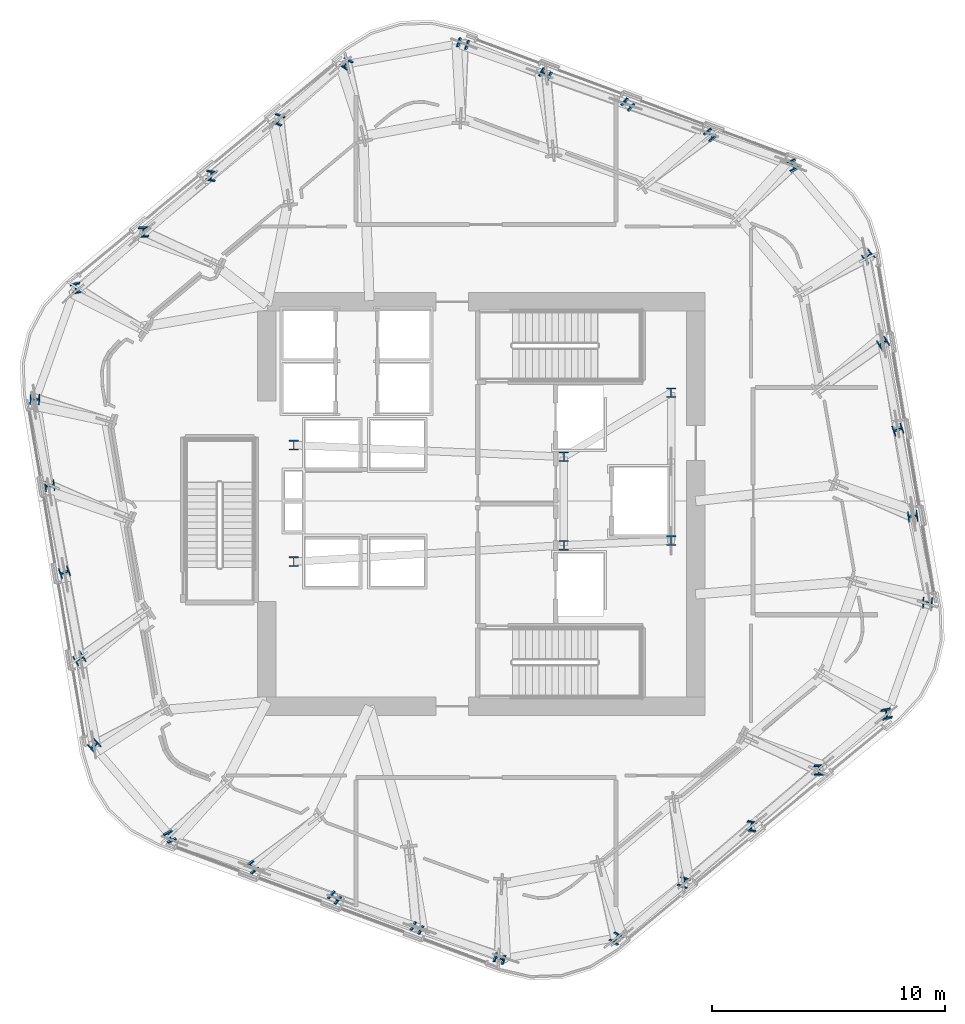
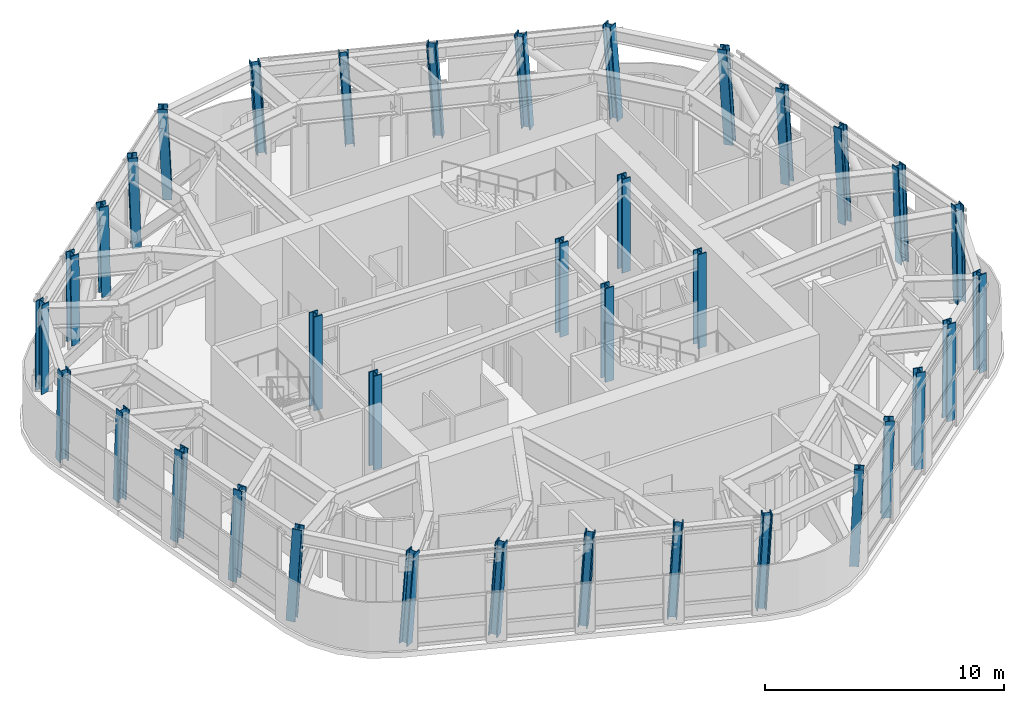
# One storey, part 1 of 16: 36 columns.
"""IFC4 building model written with IfcOpenShell, lengths in metres."""

from ifc_helpers import new_model, si_unit, direction, frame, origin, origin_2d, place, context, subcontext, project, spatial, i_section, extrude, material, material_profile, profile_set, type_object, element, save


model = new_model("IFC4")

# Units and contexts
model_context = context("Model", 3, precision=1e-05, world=origin(), true_north=direction((0.0, 1.0)))
body_context = subcontext(model_context, "Body", "Model", "MODEL_VIEW")
ifc_project = project(units=[si_unit("LENGTHUNIT", "METRE"), si_unit("AREAUNIT", "SQUARE_METRE"), si_unit("VOLUMEUNIT", "CUBIC_METRE"), si_unit("PLANEANGLEUNIT", "RADIAN"), si_unit("MASSUNIT", "GRAM", prefix="KILO")], contexts=[model_context])

# Site, building, storey
site_placement = place(None, origin())
site = spatial("IfcSite", under=ifc_project, at=site_placement, CompositionType="ELEMENT")
building_placement = place(site_placement, origin())
building = spatial("IfcBuilding", under=site, at=building_placement, Name="Valkerne Bourse Tower", CompositionType="ELEMENT")
storey_placement = place(building_placement, frame((0.0, 0.0, 193.199951171875)))
storey = spatial("IfcBuildingStorey", under=building, at=storey_placement, Name="L49", CompositionType="ELEMENT", Elevation=193.199951171875)

# Columns
ifc_material = material(Name="Steel ASTM A913 Grade 65", Category="steel")
ifc_material_profile_1 = material_profile(ifc_material, i_section(OverallWidth=0.406494140625, OverallDepth=0.41650390625, WebThickness=0.02978515625, FlangeThickness=0.048095703125, FilletRadius=0.025390625, at=origin_2d()), Name="W14X257")
ifc_profile_set_1 = profile_set([ifc_material_profile_1], Name="Steel ASTM A913 Grade 65")
column_type_1 = type_object("IfcColumnType", Name="COL-W14X257", PredefinedType="COLUMN", material=ifc_profile_set_1)
column_1_placement = place(storey_placement, frame((60.193115234375, 41.37646484375, 0.010009765625), z_axis=(-0.047442610701, 0.043518785756, 0.997925505224), x_axis=(0.889917920058, 0.455568332922, 0.022440802086)))
element("IfcColumn", 1, at=column_1_placement, inside=storey, type_object=column_type_1, Name="L49 Helical Perimeter Tube Column F1-C1", PredefinedType="COLUMN", context=body_context, shape_type="SweptSolid", body=[
    extrude(i_section(OverallWidth=0.406494140625, OverallDepth=0.41650390625, WebThickness=0.02978515625, FlangeThickness=0.048095703125, FilletRadius=0.025390625, at=origin_2d()), origin(), (0.0, 0.0, 1.0), 4.791015625),
])
column_2_placement = place(storey_placement, frame((56.65869140625, 42.69091796875, 0.010009765625), z_axis=(-0.051734834711, 0.031907395595, 0.998151003097), x_axis=(0.788151102008, 0.615117013588, 0.021187260278)))
element("IfcColumn", 2, at=column_2_placement, inside=storey, type_object=column_type_1, Name="L49 Helical Perimeter Tube Column F1-C2", PredefinedType="COLUMN", context=body_context, shape_type="SweptSolid", body=[
    extrude(i_section(OverallWidth=0.406494140625, OverallDepth=0.41650390625, WebThickness=0.02978515625, FlangeThickness=0.048095703125, FilletRadius=0.025390625, at=origin_2d()), origin(), (0.0, 0.0, 1.0), 4.789794921875),
])
column_3_placement = place(storey_placement, frame((53.124267578125, 44.00537109375, 0.010009765625), z_axis=(-0.055969591725, 0.020287702647, 0.998226334016), x_axis=(0.646533634797, 0.762603194136, 0.020751563077)))
element("IfcColumn", 3, at=column_3_placement, inside=storey, type_object=column_type_1, Name="L49 Helical Perimeter Tube Column F1-C3", PredefinedType="COLUMN", context=body_context, shape_type="SweptSolid", body=[
    extrude(i_section(OverallWidth=0.406494140625, OverallDepth=0.41650390625, WebThickness=0.02978515625, FlangeThickness=0.048095703125, FilletRadius=0.025390625, at=origin_2d()), origin(), (0.0, 0.0, 1.0), 4.78955078125),
])
column_4_placement = place(storey_placement, frame((49.589599609375, 45.31982421875, 0.010009765625), z_axis=(-0.060144993574, 0.008664956701, 0.998152041662), x_axis=(0.478024701145, 0.878090961693, 0.021181314603)))
element("IfcColumn", 4, at=column_4_placement, inside=storey, type_object=column_type_1, Name="L49 Helical Perimeter Tube Column F1-C4", PredefinedType="COLUMN", context=body_context, shape_type="SweptSolid", body=[
    extrude(i_section(OverallWidth=0.406494140625, OverallDepth=0.41650390625, WebThickness=0.02978515625, FlangeThickness=0.048095703125, FilletRadius=0.025390625, at=origin_2d()), origin(), (0.0, 0.0, 1.0), 4.789794921875),
])
for number, where, z_axis, x_axis, name in (
    (5, (46.05517578125, 46.63427734375, 0.010009765625), (-0.064360715617, -0.002955598975, 0.997922322989), (0.304484692387, 0.952252440695, 0.022457989483), "L49 Helical Perimeter Tube Column F1-C5"),
    (6, (41.04638671875, 45.787109375, 0.010009765625), (-0.061456051068, -0.01936426153, 0.997921930395), (-0.838253908115, 0.543731056621, -0.041072175441), "L49 Helical Perimeter Tube Column F2-C1"),
):
    element("IfcColumn", number, at=place(storey_placement, frame(where, z_axis=z_axis, x_axis=x_axis)), inside=storey, type_object=column_type_1, Name=name, PredefinedType="COLUMN", context=body_context, shape_type="SweptSolid", body=[
        extrude(i_section(OverallWidth=0.406494140625, OverallDepth=0.41650390625, WebThickness=0.02978515625, FlangeThickness=0.048095703125, FilletRadius=0.025390625, at=origin_2d()), origin(), (0.0, 0.0, 1.0), 4.791015625),
    ])
column_5_placement = place(storey_placement, frame((38.140625, 43.38330078125, 0.010009765625), z_axis=(-0.053467996147, -0.028798301071, 0.998154212155), x_axis=(-0.92554050387, 0.376664623069, -0.038710947073)))
element("IfcColumn", 7, at=column_5_placement, inside=storey, type_object=column_type_1, Name="L49 Helical Perimeter Tube Column F2-C2", PredefinedType="COLUMN", context=body_context, shape_type="SweptSolid", body=[
    extrude(i_section(OverallWidth=0.406494140625, OverallDepth=0.41650390625, WebThickness=0.02978515625, FlangeThickness=0.048095703125, FilletRadius=0.025390625, at=origin_2d()), origin(), (0.0, 0.0, 1.0), 4.789794921875),
])
column_6_placement = place(storey_placement, frame((35.235107421875, 40.9794921875, 0.010009765625), z_axis=(-0.045570915412, -0.038281607913, 0.99822733391), x_axis=(-0.982806210175, 0.180700659706, -0.037937116706)))
element("IfcColumn", 8, at=column_6_placement, inside=storey, type_object=column_type_1, Name="L49 Helical Perimeter Tube Column F2-C3", PredefinedType="COLUMN", context=body_context, shape_type="SweptSolid", body=[
    extrude(i_section(OverallWidth=0.406494140625, OverallDepth=0.41650390625, WebThickness=0.02978515625, FlangeThickness=0.048095703125, FilletRadius=0.025390625, at=origin_2d()), origin(), (0.0, 0.0, 1.0), 4.78955078125),
])
column_7_placement = place(storey_placement, frame((32.32958984375, 38.575927734375, 0.010009765625), z_axis=(-0.037616041994, -0.047759121068, 0.998150339247), x_axis=(-0.998982406492, -0.023075370304, -0.038751500688)))
element("IfcColumn", 9, at=column_7_placement, inside=storey, type_object=column_type_1, Name="L49 Helical Perimeter Tube Column F2-C4", PredefinedType="COLUMN", context=body_context, shape_type="SweptSolid", body=[
    extrude(i_section(OverallWidth=0.406494140625, OverallDepth=0.41650390625, WebThickness=0.02978515625, FlangeThickness=0.048095703125, FilletRadius=0.025390625, at=origin_2d()), origin(), (0.0, 0.0, 1.0), 4.789794921875),
])
for number, where, z_axis, x_axis, name in (
    (10, (29.423828125, 36.172119140625, 0.010009765625), (-0.029607028622, -0.057175707597, 0.997925028405), (-0.976720076369, -0.21055517352, -0.041041580404), "L49 Helical Perimeter Tube Column F2-C5"),
    (11, (27.653076171875, 31.41064453125, 0.010009765625), (-0.013962669937, -0.062882973364, 0.99792323127), (-0.050479825307, -0.996703546803, -0.063512416325), "L49 Helical Perimeter Tube Column F3-C1"),
):
    element("IfcColumn", number, at=place(storey_placement, frame(where, z_axis=z_axis, x_axis=x_axis)), inside=storey, type_object=column_type_1, Name=name, PredefinedType="COLUMN", context=body_context, shape_type="SweptSolid", body=[
        extrude(i_section(OverallWidth=0.406494140625, OverallDepth=0.41650390625, WebThickness=0.02978515625, FlangeThickness=0.048095703125, FilletRadius=0.025390625, at=origin_2d()), origin(), (0.0, 0.0, 1.0), 4.791015625),
    ])
column_8_placement = place(storey_placement, frame((28.281982421875, 27.6923828125, 0.010009765625), z_axis=(-0.001783965368, -0.06070579294, 0.998154108428), x_axis=(0.137787214486, -0.988650033187, -0.059881511363)))
element("IfcColumn", 12, at=column_8_placement, inside=storey, type_object=column_type_1, Name="L49 Helical Perimeter Tube Column F3-C2", PredefinedType="COLUMN", context=body_context, shape_type="SweptSolid", body=[
    extrude(i_section(OverallWidth=0.406494140625, OverallDepth=0.41650390625, WebThickness=0.02978515625, FlangeThickness=0.048095703125, FilletRadius=0.025390625, at=origin_2d()), origin(), (0.0, 0.0, 1.0), 4.789794921875),
])
column_9_placement = place(storey_placement, frame((28.910888671875, 23.974365234375, 0.010009765625), z_axis=(0.010398720501, -0.058620238117, 0.998226193954), x_axis=(0.336118151792, -0.939988670333, -0.0587016838)))
element("IfcColumn", 13, at=column_9_placement, inside=storey, type_object=column_type_1, Name="L49 Helical Perimeter Tube Column F3-C3", PredefinedType="COLUMN", context=body_context, shape_type="SweptSolid", body=[
    extrude(i_section(OverallWidth=0.406494140625, OverallDepth=0.41650390625, WebThickness=0.02978515625, FlangeThickness=0.048095703125, FilletRadius=0.025390625, at=origin_2d()), origin(), (0.0, 0.0, 1.0), 4.78955078125),
])
column_10_placement = place(storey_placement, frame((29.539794921875, 20.256103515625, 0.010009765625), z_axis=(0.022528901675, -0.05642419492, 0.9981526731), x_axis=(0.519823227755, -0.852170892967, -0.059904766644)))
element("IfcColumn", 14, at=column_10_placement, inside=storey, type_object=column_type_1, Name="L49 Helical Perimeter Tube Column F3-C4", PredefinedType="COLUMN", context=body_context, shape_type="SweptSolid", body=[
    extrude(i_section(OverallWidth=0.406494140625, OverallDepth=0.41650390625, WebThickness=0.02978515625, FlangeThickness=0.048095703125, FilletRadius=0.025390625, at=origin_2d()), origin(), (0.0, 0.0, 1.0), 4.789794921875),
])
for number, where, z_axis, x_axis, name in (
    (15, (30.168701171875, 16.537841796875, 0.010009765625), (0.034702929234, -0.054220142004, 0.997925790279), (0.670886606584, -0.738838479931, -0.063473314698), "L49 Helical Perimeter Tube Column F3-C5"),
    (16, (33.40673828125, 12.62353515625, 0.010009765625), (0.047493454584, -0.043518680488, 0.997923091335), (0.889673557333, 0.456044719753, -0.022453840819), "L49 Helical Perimeter Tube Column F4-C1"),
):
    element("IfcColumn", number, at=place(storey_placement, frame(where, z_axis=z_axis, x_axis=x_axis)), inside=storey, type_object=column_type_1, Name=name, PredefinedType="COLUMN", context=body_context, shape_type="SweptSolid", body=[
        extrude(i_section(OverallWidth=0.406494140625, OverallDepth=0.41650390625, WebThickness=0.02978515625, FlangeThickness=0.048095703125, FilletRadius=0.025390625, at=origin_2d()), origin(), (0.0, 0.0, 1.0), 4.791015625),
    ])
column_11_placement = place(storey_placement, frame((36.94140625, 11.30908203125, 0.010009765625), z_axis=(0.051684000651, -0.031907479692, 0.998153633874), x_axis=(0.788422769881, 0.614769285216, -0.021172196094)))
element("IfcColumn", 17, at=column_11_placement, inside=storey, type_object=column_type_1, Name="L49 Helical Perimeter Tube Column F4-C2", PredefinedType="COLUMN", context=body_context, shape_type="SweptSolid", body=[
    extrude(i_section(OverallWidth=0.406494140625, OverallDepth=0.41650390625, WebThickness=0.02978515625, FlangeThickness=0.048095703125, FilletRadius=0.025390625, at=origin_2d()), origin(), (0.0, 0.0, 1.0), 4.789794921875),
])
column_12_placement = place(storey_placement, frame((40.475830078125, 9.99462890625, 0.010009765625), z_axis=(0.055918777062, -0.020287760502, 0.998229180672), x_axis=(0.646757237067, 0.762414021026, -0.020734918485)))
element("IfcColumn", 18, at=column_12_placement, inside=storey, type_object=column_type_1, Name="L49 Helical Perimeter Tube Column F4-C3", PredefinedType="COLUMN", context=body_context, shape_type="SweptSolid", body=[
    extrude(i_section(OverallWidth=0.406494140625, OverallDepth=0.41650390625, WebThickness=0.02978515625, FlangeThickness=0.048095703125, FilletRadius=0.025390625, at=origin_2d()), origin(), (0.0, 0.0, 1.0), 4.78955078125),
])
column_13_placement = place(storey_placement, frame((44.01025390625, 8.68017578125, 0.010009765625), z_axis=(0.060144993574, -0.008664956701, 0.998152041662), x_axis=(0.478024701145, 0.878090961693, -0.021181314603)))
element("IfcColumn", 19, at=column_13_placement, inside=storey, type_object=column_type_1, Name="L49 Helical Perimeter Tube Column F4-C4", PredefinedType="COLUMN", context=body_context, shape_type="SweptSolid", body=[
    extrude(i_section(OverallWidth=0.406494140625, OverallDepth=0.41650390625, WebThickness=0.02978515625, FlangeThickness=0.048095703125, FilletRadius=0.025390625, at=origin_2d()), origin(), (0.0, 0.0, 1.0), 4.789794921875),
])
for number, where, z_axis, x_axis, name in (
    (20, (47.544921875, 7.36572265625, 0.010009765625), (0.064309967851, 0.002955608665, 0.997925594627), (0.304451253235, 0.952263548859, -0.022440319022), "L49 Helical Perimeter Tube Column F4-C5"),
    (21, (52.5537109375, 8.212890625, 0.010009765625), (0.061456051068, 0.01936426153, 0.997921930395), (-0.838253908115, 0.543731056621, 0.041072175441), "L49 Helical Perimeter Tube Column F5-C1"),
):
    element("IfcColumn", number, at=place(storey_placement, frame(where, z_axis=z_axis, x_axis=x_axis)), inside=storey, type_object=column_type_1, Name=name, PredefinedType="COLUMN", context=body_context, shape_type="SweptSolid", body=[
        extrude(i_section(OverallWidth=0.406494140625, OverallDepth=0.41650390625, WebThickness=0.02978515625, FlangeThickness=0.048095703125, FilletRadius=0.025390625, at=origin_2d()), origin(), (0.0, 0.0, 1.0), 4.791015625),
    ])
column_14_placement = place(storey_placement, frame((55.459228515625, 10.61669921875, 0.010009765625), z_axis=(0.053518820668, 0.02879822255, 0.998151490613), x_axis=(-0.925389104163, 0.37703350114, 0.038739449075)))
element("IfcColumn", 22, at=column_14_placement, inside=storey, type_object=column_type_1, Name="L49 Helical Perimeter Tube Column F5-C2", PredefinedType="COLUMN", context=body_context, shape_type="SweptSolid", body=[
    extrude(i_section(OverallWidth=0.406494140625, OverallDepth=0.41650390625, WebThickness=0.02978515625, FlangeThickness=0.048095703125, FilletRadius=0.025390625, at=origin_2d()), origin(), (0.0, 0.0, 1.0), 4.789794921875),
])
column_15_placement = place(storey_placement, frame((58.364990234375, 13.0205078125, 0.010009765625), z_axis=(0.045520046915, 0.03828169679, 0.998229651443), x_axis=(-0.982906803776, 0.180157903524, 0.037912331626)))
element("IfcColumn", 23, at=column_15_placement, inside=storey, type_object=column_type_1, Name="L49 Helical Perimeter Tube Column F5-C3", PredefinedType="COLUMN", context=body_context, shape_type="SweptSolid", body=[
    extrude(i_section(OverallWidth=0.406494140625, OverallDepth=0.41650390625, WebThickness=0.02978515625, FlangeThickness=0.048095703125, FilletRadius=0.025390625, at=origin_2d()), origin(), (0.0, 0.0, 1.0), 4.78955078125),
])
column_16_placement = place(storey_placement, frame((61.2705078125, 15.424072265625, 0.010009765625), z_axis=(0.037616041994, 0.047759121068, 0.998150339247), x_axis=(-0.998982406492, -0.023075370304, 0.038751500688)))
element("IfcColumn", 24, at=column_16_placement, inside=storey, type_object=column_type_1, Name="L49 Helical Perimeter Tube Column F5-C4", PredefinedType="COLUMN", context=body_context, shape_type="SweptSolid", body=[
    extrude(i_section(OverallWidth=0.406494140625, OverallDepth=0.41650390625, WebThickness=0.02978515625, FlangeThickness=0.048095703125, FilletRadius=0.025390625, at=origin_2d()), origin(), (0.0, 0.0, 1.0), 4.789794921875),
])
for number, where, z_axis, x_axis, name in (
    (25, (64.176025390625, 17.827880859375, 0.010009765625), (0.029657942579, 0.05717562126, 0.997923521506), (-0.976867319777, -0.209868068649, 0.041056464951), "L49 Helical Perimeter Tube Column F5-C5"),
    (26, (65.947021484375, 22.58935546875, 0.010009765625), (0.013962669937, 0.062882973364, 0.99792323127), (-0.050479825307, -0.996703546803, 0.063512416325), "L49 Helical Perimeter Tube Column F6-C1"),
):
    element("IfcColumn", number, at=place(storey_placement, frame(where, z_axis=z_axis, x_axis=x_axis)), inside=storey, type_object=column_type_1, Name=name, PredefinedType="COLUMN", context=body_context, shape_type="SweptSolid", body=[
        extrude(i_section(OverallWidth=0.406494140625, OverallDepth=0.41650390625, WebThickness=0.02978515625, FlangeThickness=0.048095703125, FilletRadius=0.025390625, at=origin_2d()), origin(), (0.0, 0.0, 1.0), 4.791015625),
    ])
column_17_placement = place(storey_placement, frame((65.318115234375, 26.3076171875, 0.010009765625), z_axis=(0.001783965368, 0.06070579294, 0.998154108428), x_axis=(0.137787214486, -0.988650033187, 0.059881511363)))
element("IfcColumn", 27, at=column_17_placement, inside=storey, type_object=column_type_1, Name="L49 Helical Perimeter Tube Column F6-C2", PredefinedType="COLUMN", context=body_context, shape_type="SweptSolid", body=[
    extrude(i_section(OverallWidth=0.406494140625, OverallDepth=0.41650390625, WebThickness=0.02978515625, FlangeThickness=0.048095703125, FilletRadius=0.025390625, at=origin_2d()), origin(), (0.0, 0.0, 1.0), 4.789794921875),
])
column_18_placement = place(storey_placement, frame((64.689208984375, 30.025634765625, 0.010009765625), z_axis=(-0.010398720501, 0.058620238117, 0.998226193954), x_axis=(0.336118151792, -0.939988670333, 0.0587016838)))
element("IfcColumn", 28, at=column_18_placement, inside=storey, type_object=column_type_1, Name="L49 Helical Perimeter Tube Column F6-C3", PredefinedType="COLUMN", context=body_context, shape_type="SweptSolid", body=[
    extrude(i_section(OverallWidth=0.406494140625, OverallDepth=0.41650390625, WebThickness=0.02978515625, FlangeThickness=0.048095703125, FilletRadius=0.025390625, at=origin_2d()), origin(), (0.0, 0.0, 1.0), 4.78955078125),
])
column_19_placement = place(storey_placement, frame((64.060302734375, 33.743896484375, 0.010009765625), z_axis=(-0.022579846083, 0.056424130055, 0.99815152562), x_axis=(0.520486396118, -0.851764699539, 0.059923351676)))
element("IfcColumn", 29, at=column_19_placement, inside=storey, type_object=column_type_1, Name="L49 Helical Perimeter Tube Column F6-C4", PredefinedType="COLUMN", context=body_context, shape_type="SweptSolid", body=[
    extrude(i_section(OverallWidth=0.406494140625, OverallDepth=0.41650390625, WebThickness=0.02978515625, FlangeThickness=0.048095703125, FilletRadius=0.025390625, at=origin_2d()), origin(), (0.0, 0.0, 1.0), 4.789794921875),
])
column_20_placement = place(storey_placement, frame((63.431396484375, 37.462158203125, 0.010009765625), z_axis=(-0.034753826509, 0.05422004605, 0.997924024237), x_axis=(0.671377910818, -0.738389742929, 0.063500302387)))
element("IfcColumn", 30, at=column_20_placement, inside=storey, type_object=column_type_1, Name="L49 Helical Perimeter Tube Column F6-C5", PredefinedType="COLUMN", context=body_context, shape_type="SweptSolid", body=[
    extrude(i_section(OverallWidth=0.406494140625, OverallDepth=0.41650390625, WebThickness=0.02978515625, FlangeThickness=0.048095703125, FilletRadius=0.025390625, at=origin_2d()), origin(), (0.0, 0.0, 1.0), 4.791015625),
])
ifc_material_profile_2 = material_profile(ifc_material, i_section(OverallWidth=0.408935546875, OverallDepth=0.42431640625, WebThickness=0.03271484375, FlangeThickness=0.052490234375, FilletRadius=0.025390625, at=origin_2d()), Name="W14X283")
ifc_profile_set_2 = profile_set([ifc_material_profile_2], Name="Steel ASTM A913 Grade 65")
column_type_2 = type_object("IfcColumnType", Name="COL-W14X283", PredefinedType="COLUMN", material=ifc_profile_set_2)
for number, where, z_axis, x_axis, name in (
    (31, (38.75, 24.39990234375, 0.005126953125), (0.0, 0.0, 1.0), (1.0, 0.0, 0.0), "L49 Core Frame Column CC-SW"),
    (32, (38.75, 29.39990234375, 0.005126953125), (0.0, 0.0, 1.0), (1.0, 0.0, 0.0), "L49 Core Frame Column CC-NW"),
    (33, (50.35009765625, 25.10009765625, 0.005126953125), (0.0, 0.0, 1.0), (1.0, 0.0, 0.0), "L49 Core Frame Column CC-CE1"),
    (34, (50.35009765625, 28.89990234375, 0.005126953125), (0.0, 0.0, 1.0), (1.0, 0.0, 0.0), "L49 Core Frame Column CC-CE2"),
    (35, (54.949951171875, 25.300048828125, 0.005126953125), (0.0, 0.0, 1.0), (1.0, 0.0, 0.0), "L49 Core Frame Column CC-SE"),
    (36, (54.949951171875, 31.64990234375, 0.005126953125), (0.0, 0.0, 1.0), (1.0, 0.0, 0.0), "L49 Core Frame Column CC-NE"),
):
    element("IfcColumn", number, at=place(storey_placement, frame(where, z_axis=z_axis, x_axis=x_axis)), inside=storey, type_object=column_type_2, Name=name, PredefinedType="COLUMN", context=body_context, shape_type="SweptSolid", body=[
        extrude(i_section(OverallWidth=0.408935546875, OverallDepth=0.42431640625, WebThickness=0.03271484375, FlangeThickness=0.052490234375, FilletRadius=0.025390625, at=origin_2d()), origin(), (0.0, 0.0, 1.0), 4.794921875),
    ])

save(model, "model.ifc")
